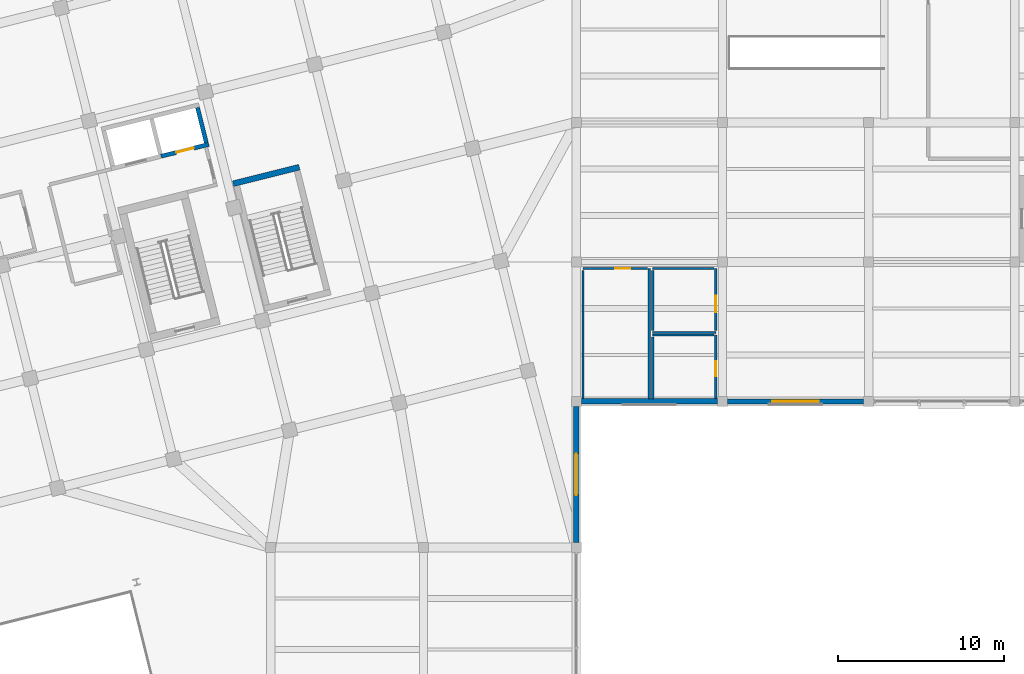
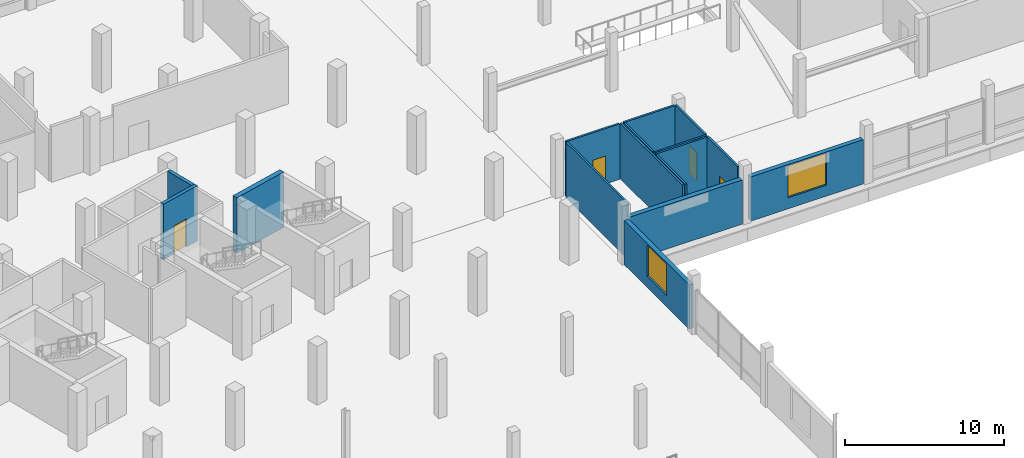
# One storey, part 67 of 77: 16 walls, 4 doors, 2 windows, 6 openings.
"""IFC4 building model written with IfcOpenShell, lengths in metres."""

from ifc_helpers import new_model, si_unit, direction, frame, frame_2d, origin, place, context, subcontext, project, spatial, rectangle, extrude, material, layer, layer_set, type_object, element, fill, save


model = new_model("IFC4")

# Units and contexts
model_context = context("Model", 3, precision=1e-05, world=origin(), true_north=direction((0.0, 1.0)))
body_context = subcontext(model_context, "Body", "Model", "MODEL_VIEW")
ifc_project = project(units=[si_unit("LENGTHUNIT", "METRE"), si_unit("AREAUNIT", "SQUARE_METRE"), si_unit("VOLUMEUNIT", "CUBIC_METRE"), si_unit("PLANEANGLEUNIT", "RADIAN"), si_unit("MASSUNIT", "GRAM", prefix="KILO")], contexts=[model_context])

# Site, building, storey
site_placement = place(None, origin())
site = spatial("IfcSite", under=ifc_project, at=site_placement, CompositionType="ELEMENT")
building_placement = place(site_placement, origin())
building = spatial("IfcBuilding", under=site, at=building_placement, Name="Meriwether Solvik Hall", CompositionType="ELEMENT")
storey_placement = place(building_placement, frame((0.0, 0.0, 9.89990234375)))
storey = spatial("IfcBuildingStorey", under=building, at=storey_placement, Name="L02", CompositionType="ELEMENT", Elevation=9.89990234375)

# Wall, opening, window
ifc_material_1 = material(Name="Concrete C40/50 Precast", Category="concrete")
ifc_layer_1 = layer(ifc_material_1, 0.31494140625)
ifc_layer_set_1 = layer_set([ifc_layer_1], Name="Concrete C40/50 Precast")
wall_type_1 = type_object("IfcWallType", Name="WALL-EXT-315", PredefinedType="SOLIDWALL", material=ifc_layer_set_1)
wall_1_placement = place(storey_placement, frame((131.488037109375, 50.0, 0.0), z_axis=(0.0, 0.0, 1.0), x_axis=(-1.0, 0.0, 0.0)))
wall_1 = element("IfcWall", 1, at=wall_1_placement, inside=storey, type_object=wall_type_1, Name="L02 S Wing Facade Wall XF_14_7", PredefinedType="SOLIDWALL", context=body_context, shape_type="SweptSolid", body=[
    extrude(rectangle(XDim=8.176025390625, YDim=0.31494140625, at=frame_2d((4.087890625, 0.0))), origin(), (0.0, 0.0, 1.0), 3.39501953125),
])
opening_1_placement = place(wall_1_placement, frame((2.68798828125, 0.0, 0.85009765625)))
opening_1 = element("IfcOpeningElement", 2, at=opening_1_placement, cuts=wall_1, Name="Opening WN-165", PredefinedType="OPENING", context=body_context, shape_type="SweptSolid", body=[
    extrude(rectangle(XDim=2.800048828125, YDim=2.449951171875, at=frame_2d((1.39990234375, 1.22509765625))), frame((0.0, 0.16943359375, 0.0), z_axis=(0.0, -1.0, 0.0), x_axis=(1.0, 0.0, 0.0)), (0.0, 0.0, 1.0), 0.3388671875),
])
ifc_material_2 = material(Name="Thermally Broken Anodised Aluminium and Triple Low-E Glass", Category="aluminium")
window_type_1 = type_object("IfcWindowType", Name="WIN-POD-SOUTH-280X245", PartitioningType="SINGLE_PANEL", PredefinedType="WINDOW", material=ifc_material_2)
window_1_placement = place(opening_1_placement, origin())
window_1 = element("IfcWindow", 3, at=window_1_placement, inside=storey, type_object=window_type_1, Name="L02 S Window XF_14_7", OverallHeight=2.449951171875, OverallWidth=2.800048828125, PartitioningType="SINGLE_PANEL", PredefinedType="WINDOW", context=body_context, shape_type="SweptSolid", body=[
    extrude(rectangle(XDim=2.800048828125, YDim=2.449951171875, at=frame_2d((1.39990234375, 1.22509765625))), frame((0.0, 0.030029296875, 0.0), z_axis=(0.0, -1.0, 0.0), x_axis=(1.0, 0.0, 0.0)), (0.0, 0.0, 1.0), 0.06005859375),
])
fill(opening_1, window_1)

wall_2_placement = place(storey_placement, frame((114.199951171875, 49.68798828125, 0.0), z_axis=(0.0, 0.0, 1.0), x_axis=(0.0, -1.0, 0.0)))
wall_2 = element("IfcWall", 4, at=wall_2_placement, inside=storey, type_object=wall_type_1, Name="L02 E Wing Facade Wall Y13_5_41", PredefinedType="SOLIDWALL", context=body_context, shape_type="SweptSolid", body=[
    extrude(rectangle(XDim=8.176025390625, YDim=0.31494140625, at=frame_2d((4.087890625, 0.0))), origin(), (0.0, 0.0, 1.0), 3.39501953125),
])
opening_2_placement = place(wall_2_placement, frame((2.837890625, 0.0, 0.85009765625)))
opening_2 = element("IfcOpeningElement", 5, at=opening_2_placement, cuts=wall_2, Name="Opening WN-144", PredefinedType="OPENING", context=body_context, shape_type="SweptSolid", body=[
    extrude(rectangle(XDim=2.5, YDim=2.39990234375, at=frame_2d((1.25, 1.199951171875))), frame((0.0, 0.16943359375, 0.0), z_axis=(0.0, -1.0, 0.0), x_axis=(1.0, 0.0, 0.0)), (0.0, 0.0, 1.0), 0.3388671875),
])
ifc_material_3 = material(Name="Thermally Broken Anodised Aluminium and Triple Low-E Glass", Category="aluminium")
window_type_2 = type_object("IfcWindowType", Name="WIN-POD-EAST-250X240", PartitioningType="SINGLE_PANEL", PredefinedType="WINDOW", material=ifc_material_3)
window_2_placement = place(opening_2_placement, origin())
window_2 = element("IfcWindow", 6, at=window_2_placement, inside=storey, type_object=window_type_2, Name="L02 E Window Y13_5_41", OverallHeight=2.39990234375, OverallWidth=2.5, PartitioningType="SINGLE_PANEL", PredefinedType="WINDOW", context=body_context, shape_type="SweptSolid", body=[
    extrude(rectangle(XDim=2.5, YDim=2.39990234375, at=frame_2d((1.25, 1.199951171875))), frame((0.0, 0.030029296875, 0.0), z_axis=(0.0, -1.0, 0.0), x_axis=(1.0, 0.0, 0.0)), (0.0, 0.0, 1.0), 0.06005859375),
])
fill(opening_2, window_2)

# Walls
ifc_material_4 = material(Name="Concrete C40/50 Precast", Category="concrete")
ifc_layer_2 = layer(ifc_material_4, 0.340087890625)
ifc_layer_set_2 = layer_set([ifc_layer_2], Name="Concrete C40/50 Precast")
wall_type_2 = type_object("IfcWallType", Name="WALL-EXT-340", PredefinedType="SOLIDWALL", material=ifc_layer_set_2)
wall_3_placement = place(storey_placement, frame((122.68798828125, 50.0, 0.0), z_axis=(0.0, 0.0, 1.0), x_axis=(-1.0, 0.0, 0.0)))
element("IfcWall", 7, at=wall_3_placement, inside=storey, type_object=wall_type_2, Name="L02 S Wing Facade Wall XF_13_6", PredefinedType="SOLIDWALL", context=body_context, shape_type="SweptSolid", body=[
    extrude(rectangle(XDim=8.176025390625, YDim=0.340087890625, at=frame_2d((4.087890625, 0.0))), origin(), (0.0, 0.0, 1.0), 3.39501953125),
])
ifc_material_5 = material(Name="Concrete C40/50", Category="concrete")
ifc_layer_3 = layer(ifc_material_5, 0.25)
ifc_layer_set_3 = layer_set([ifc_layer_3], Name="Concrete C40/50")
wall_type_3 = type_object("IfcWallType", Name="WALL-HOIST-250", PredefinedType="SHEAR", material=ifc_layer_set_3)
wall_4_placement = place(storey_placement, frame((91.920654296875, 65.575927734375, 0.0), z_axis=(0.0, 0.0, 1.0), x_axis=(-0.241903146974, 0.970300400641, 0.0)))
element("IfcWall", 8, at=wall_4_placement, inside=storey, type_object=wall_type_3, Name="Hoistway BANK2 East Wall (L02)", PredefinedType="SHEAR", context=body_context, shape_type="SweptSolid", body=[
    extrude(rectangle(XDim=2.179931640625, YDim=0.25, at=frame_2d((1.08984375, 0.0))), origin(), (0.0, 0.0, 1.0), 4.255126953125),
])

# Wall, opening, door
wall_5_placement = place(storey_placement, frame((89.19775390625, 64.7578125, 0.0), z_axis=(0.0, 0.0, 1.0), x_axis=(0.970297295425, 0.241915601999, 0.0)))
wall_5 = element("IfcWall", 9, at=wall_5_placement, inside=storey, type_object=wall_type_3, Name="Lift LP-02 Landing Wall (L02)", PredefinedType="SHEAR", context=body_context, shape_type="SweptSolid", body=[
    extrude(rectangle(XDim=2.965087890625, YDim=0.25, at=frame_2d((1.482421875, 0.0))), origin(), (0.0, 0.0, 1.0), 4.255126953125),
])
opening_3_placement = place(wall_5_placement, frame((0.9326171875, 0.0, 0.0)))
opening_3 = element("IfcOpeningElement", 10, at=opening_3_placement, cuts=wall_5, Name="Opening LD-04", PredefinedType="OPENING", context=body_context, shape_type="SweptSolid", body=[
    extrude(rectangle(XDim=1.10009765625, YDim=2.14990234375, at=frame_2d((0.550048828125, 1.074951171875))), frame((0.0, 0.136962890625, 0.0), z_axis=(0.0, -1.0, 0.0), x_axis=(1.0, 0.0, 0.0)), (0.0, 0.0, 1.0), 0.27392578125),
])
ifc_material_6 = material(Name="Stainless Steel AISI 316", Category="steel")
door_type_1 = type_object("IfcDoorType", Name="DR-LIFT-PASS", OperationType="DOUBLE_DOOR_SLIDING", PredefinedType="DOOR", material=ifc_material_6)
door_1_placement = place(opening_3_placement, origin())
door_1 = element("IfcDoor", 11, at=door_1_placement, inside=storey, type_object=door_type_1, Name="Lift Landing Door LP-02 (L02)", OperationType="DOUBLE_DOOR_SLIDING", OverallHeight=2.14990234375, OverallWidth=1.10009765625, PredefinedType="DOOR", context=body_context, shape_type="SweptSolid", body=[
    extrude(rectangle(XDim=1.10009765625, YDim=2.14990234375, at=frame_2d((0.550048828125, 1.074951171875))), frame((0.0, 0.02490234375, 0.0), z_axis=(0.0, -1.0, 0.0), x_axis=(1.0, 0.0, 0.0)), (0.0, 0.0, 1.0), 0.050048828125),
])
fill(opening_3, door_1)

# Walls
ifc_material_7 = material(Name="Concrete C40/50", Category="concrete")
ifc_layer_4 = layer(ifc_material_7, 0.35009765625)
ifc_layer_set_4 = layer_set([ifc_layer_4], Name="Concrete C40/50")
wall_type_4 = type_object("IfcWallType", Name="WALL-RC-350", PredefinedType="SHEAR", material=ifc_layer_set_4)
wall_6_placement = place(storey_placement, frame((97.5185546875, 64.101318359375, 0.0), z_axis=(0.0, 0.0, 1.0), x_axis=(-0.970289442421, -0.241947097371, 0.0)))
element("IfcWall", 12, at=wall_6_placement, inside=storey, type_object=wall_type_4, Name="CORE-3 Shear Wall N (L02)", PredefinedType="SHEAR", context=body_context, shape_type="SweptSolid", body=[
    extrude(rectangle(XDim=4.099853515625, YDim=0.35009765625, at=frame_2d((2.0498046875, 0.0))), origin(), (0.0, 0.0, 1.0), 4.255126953125),
])
ifc_material_8 = material(Name="Moisture-Resistant Gypsum Board", Category="gypsum")
ifc_layer_5 = layer(ifc_material_8, 0.139892578125)
ifc_layer_set_5 = layer_set([ifc_layer_5], Name="Moisture-Resistant Gypsum Board")
wall_type_5 = type_object("IfcWallType", Name="WALL-WET-140", PredefinedType="PLUMBINGWALL", material=ifc_layer_set_5)
wall_7_placement = place(storey_placement, frame((118.60009765625, 50.14990234375, 0.0), z_axis=(0.0, 0.0, 1.0), x_axis=(0.0, 1.0, 0.0)))
element("IfcWall", 13, at=wall_7_placement, inside=storey, type_object=wall_type_5, Name="L02 Interior Partition wc_m_l02_e", PredefinedType="PLUMBINGWALL", context=body_context, shape_type="SweptSolid", body=[
    extrude(rectangle(XDim=7.85009765625, YDim=0.139892578125, at=frame_2d((3.925048828125, 0.0))), origin(), (0.0, 0.0, 1.0), 4.255126953125),
])

# Wall, opening, door
wall_8_placement = place(storey_placement, frame((118.47998046875, 58.0, 0.0), z_axis=(0.0, 0.0, 1.0), x_axis=(-1.0, 0.0, 0.0)))
wall_8 = element("IfcWall", 14, at=wall_8_placement, inside=storey, type_object=wall_type_5, Name="L02 Interior Partition wc_m_l02_n", PredefinedType="PLUMBINGWALL", context=body_context, shape_type="SweptSolid", body=[
    extrude(rectangle(XDim=3.8798828125, YDim=0.139892578125, at=frame_2d((1.93994140625, 0.0))), origin(), (0.0, 0.0, 1.0), 4.255126953125),
])
opening_4_placement = place(wall_8_placement, frame((1.030029296875, 0.0, 0.0)))
opening_4 = element("IfcOpeningElement", 15, at=opening_4_placement, cuts=wall_8, Name="Opening D-174", PredefinedType="OPENING", context=body_context, shape_type="SweptSolid", body=[
    extrude(rectangle(XDim=0.89990234375, YDim=2.14990234375, at=frame_2d((0.449951171875, 1.074951171875))), frame((0.0, 0.08203125, 0.0), z_axis=(0.0, -1.0, 0.0), x_axis=(1.0, 0.0, 0.0)), (0.0, 0.0, 1.0), 0.163818359375),
])
ifc_material_9 = material(Name="Solid-Core Rift White Oak Timber", Category="wood")
door_type_2 = type_object("IfcDoorType", Name="DR-WC-900L", OperationType="SINGLE_SWING_LEFT", PredefinedType="DOOR", material=ifc_material_9)
door_2_placement = place(opening_4_placement, origin())
door_2 = element("IfcDoor", 16, at=door_2_placement, inside=storey, type_object=door_type_2, Name="L02 Male Restrooms Door", OperationType="SINGLE_SWING_LEFT", OverallHeight=2.14990234375, OverallWidth=0.89990234375, PredefinedType="DOOR", context=body_context, shape_type="SweptSolid", body=[
    extrude(rectangle(XDim=0.89990234375, YDim=2.14990234375, at=frame_2d((0.449951171875, 1.074951171875))), frame((0.0, 0.02490234375, 0.0), z_axis=(0.0, -1.0, 0.0), x_axis=(1.0, 0.0, 0.0)), (0.0, 0.0, 1.0), 0.050048828125),
])
fill(opening_4, door_2)

# Wall
wall_9_placement = place(storey_placement, frame((114.60009765625, 57.8798828125, 0.0), z_axis=(0.0, 0.0, 1.0), x_axis=(0.0, -1.0, 0.0)))
element("IfcWall", 17, at=wall_9_placement, inside=storey, type_object=wall_type_5, Name="L02 Interior Partition wc_m_l02_w", PredefinedType="PLUMBINGWALL", context=body_context, shape_type="SweptSolid", body=[
    extrude(rectangle(XDim=7.69921875, YDim=0.139892578125, at=frame_2d((3.849609375, 0.0))), origin(), (0.0, 0.0, 1.0), 4.255126953125),
])

# Wall, opening, door
wall_10_placement = place(storey_placement, frame((122.60009765625, 50.1806640625, 0.0), z_axis=(0.0, 0.0, 1.0), x_axis=(0.0, 1.0, 0.0)))
wall_10 = element("IfcWall", 18, at=wall_10_placement, inside=storey, type_object=wall_type_5, Name="L02 Interior Partition wc_f_l02_e", PredefinedType="PLUMBINGWALL", context=body_context, shape_type="SweptSolid", body=[
    extrude(rectangle(XDim=3.8193359375, YDim=0.139892578125, at=frame_2d((1.90966796875, 0.0))), origin(), (0.0, 0.0, 1.0), 4.255126953125),
])
opening_5_placement = place(wall_10_placement, frame((1.341552734375, 0.0, 0.0)))
opening_5 = element("IfcOpeningElement", 19, at=opening_5_placement, cuts=wall_10, Name="Opening D-174", PredefinedType="OPENING", context=body_context, shape_type="SweptSolid", body=[
    extrude(rectangle(XDim=0.89990234375, YDim=2.14990234375, at=frame_2d((0.449951171875, 1.074951171875))), frame((0.0, 0.08203125, 0.0), z_axis=(0.0, -1.0, 0.0), x_axis=(1.0, 0.0, 0.0)), (0.0, 0.0, 1.0), 0.163818359375),
])
door_3_placement = place(opening_5_placement, origin())
door_3 = element("IfcDoor", 20, at=door_3_placement, inside=storey, type_object=door_type_2, Name="L02 Female Restrooms Door", OperationType="SINGLE_SWING_LEFT", OverallHeight=2.14990234375, OverallWidth=0.89990234375, PredefinedType="DOOR", context=body_context, shape_type="SweptSolid", body=[
    extrude(rectangle(XDim=0.89990234375, YDim=2.14990234375, at=frame_2d((0.449951171875, 1.074951171875))), frame((0.0, 0.02490234375, 0.0), z_axis=(0.0, -1.0, 0.0), x_axis=(1.0, 0.0, 0.0)), (0.0, 0.0, 1.0), 0.050048828125),
])
fill(opening_5, door_3)

# Walls
wall_11_placement = place(storey_placement, frame((122.47998046875, 54.0, 0.0), z_axis=(0.0, 0.0, 1.0), x_axis=(-1.0, 0.0, 0.0)))
element("IfcWall", 21, at=wall_11_placement, inside=storey, type_object=wall_type_5, Name="L02 Interior Partition wc_f_l02_n", PredefinedType="PLUMBINGWALL", context=body_context, shape_type="SweptSolid", body=[
    extrude(rectangle(XDim=3.679931640625, YDim=0.139892578125, at=frame_2d((1.83984375, 0.0))), origin(), (0.0, 0.0, 1.0), 4.255126953125),
])
wall_12_placement = place(storey_placement, frame((118.800048828125, 53.8798828125, 0.0), z_axis=(0.0, 0.0, 1.0), x_axis=(0.0, -1.0, 0.0)))
element("IfcWall", 22, at=wall_12_placement, inside=storey, type_object=wall_type_5, Name="L02 Interior Partition wc_f_l02_w", PredefinedType="PLUMBINGWALL", context=body_context, shape_type="SweptSolid", body=[
    extrude(rectangle(XDim=3.72998046875, YDim=0.139892578125, at=frame_2d((1.864990234375, 0.0))), origin(), (0.0, 0.0, 1.0), 4.255126953125),
])
wall_13_placement = place(storey_placement, frame((118.800048828125, 54.14990234375, 0.0), z_axis=(0.0, 0.0, 1.0), x_axis=(1.0, 0.0, 0.0)))
element("IfcWall", 23, at=wall_13_placement, inside=storey, type_object=wall_type_5, Name="L02 Interior Partition wc_a_l02_s", PredefinedType="PLUMBINGWALL", context=body_context, shape_type="SweptSolid", body=[
    extrude(rectangle(XDim=3.800048828125, YDim=0.139892578125, at=frame_2d((1.89990234375, 0.0))), origin(), (0.0, 0.0, 1.0), 4.255126953125),
])

# Wall, opening, door
wall_14_placement = place(storey_placement, frame((122.60009765625, 54.27001953125, 0.0), z_axis=(0.0, 0.0, 1.0), x_axis=(0.0, 1.0, 0.0)))
wall_14 = element("IfcWall", 24, at=wall_14_placement, inside=storey, type_object=wall_type_5, Name="L02 Interior Partition wc_a_l02_e", PredefinedType="PLUMBINGWALL", context=body_context, shape_type="SweptSolid", body=[
    extrude(rectangle(XDim=3.72998046875, YDim=0.139892578125, at=frame_2d((1.864990234375, 0.0))), origin(), (0.0, 0.0, 1.0), 4.255126953125),
])
opening_6_placement = place(wall_14_placement, frame((1.086181640625, 0.0, 0.0)))
opening_6 = element("IfcOpeningElement", 25, at=opening_6_placement, cuts=wall_14, Name="Opening D-140", PredefinedType="OPENING", context=body_context, shape_type="SweptSolid", body=[
    extrude(rectangle(XDim=1.0, YDim=2.14990234375, at=frame_2d((0.5, 1.074951171875))), frame((0.0, 0.08203125, 0.0), z_axis=(0.0, -1.0, 0.0), x_axis=(1.0, 0.0, 0.0)), (0.0, 0.0, 1.0), 0.163818359375),
])
ifc_material_10 = material(Name="Solid-Core Rift White Oak Timber", Category="wood")
door_type_3 = type_object("IfcDoorType", Name="DR-ACC-1000L", OperationType="SINGLE_SWING_LEFT", PredefinedType="DOOR", material=ifc_material_10)
door_4_placement = place(opening_6_placement, origin())
door_4 = element("IfcDoor", 26, at=door_4_placement, inside=storey, type_object=door_type_3, Name="L02 Accessible WC Door", OperationType="SINGLE_SWING_LEFT", OverallHeight=2.14990234375, OverallWidth=1.0, PredefinedType="DOOR", context=body_context, shape_type="SweptSolid", body=[
    extrude(rectangle(XDim=1.0, YDim=2.14990234375, at=frame_2d((0.5, 1.074951171875))), frame((0.0, 0.02490234375, 0.0), z_axis=(0.0, -1.0, 0.0), x_axis=(1.0, 0.0, 0.0)), (0.0, 0.0, 1.0), 0.050048828125),
])
fill(opening_6, door_4)

# Walls
wall_15_placement = place(storey_placement, frame((122.47998046875, 58.0, 0.0), z_axis=(0.0, 0.0, 1.0), x_axis=(-1.0, 0.0, 0.0)))
element("IfcWall", 27, at=wall_15_placement, inside=storey, type_object=wall_type_5, Name="L02 Interior Partition wc_a_l02_n", PredefinedType="PLUMBINGWALL", context=body_context, shape_type="SweptSolid", body=[
    extrude(rectangle(XDim=3.679931640625, YDim=0.139892578125, at=frame_2d((1.83984375, 0.0))), origin(), (0.0, 0.0, 1.0), 4.255126953125),
])
wall_16_placement = place(storey_placement, frame((118.800048828125, 57.8798828125, 0.0), z_axis=(0.0, 0.0, 1.0), x_axis=(0.0, -1.0, 0.0)))
element("IfcWall", 28, at=wall_16_placement, inside=storey, type_object=wall_type_5, Name="L02 Interior Partition wc_a_l02_w", PredefinedType="PLUMBINGWALL", context=body_context, shape_type="SweptSolid", body=[
    extrude(rectangle(XDim=3.60986328125, YDim=0.139892578125, at=frame_2d((1.804931640625, 0.0))), origin(), (0.0, 0.0, 1.0), 4.255126953125),
])

save(model, "model.ifc")
